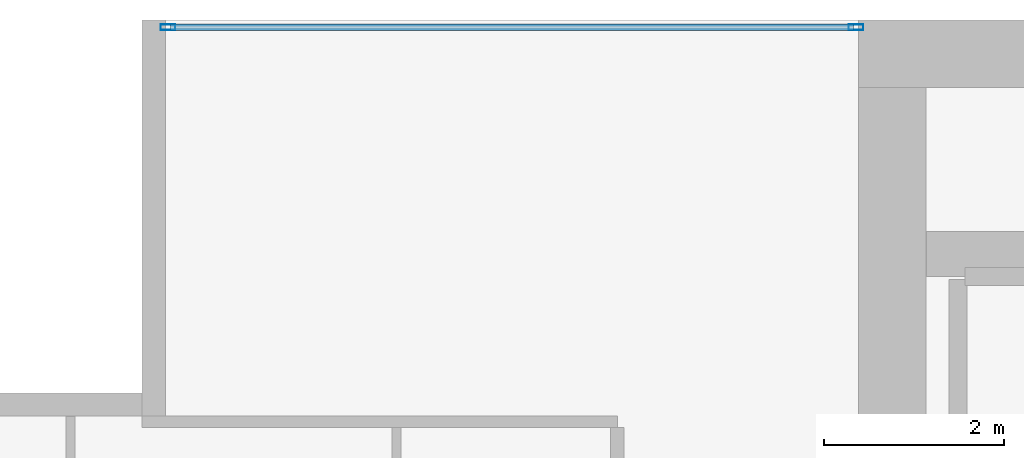
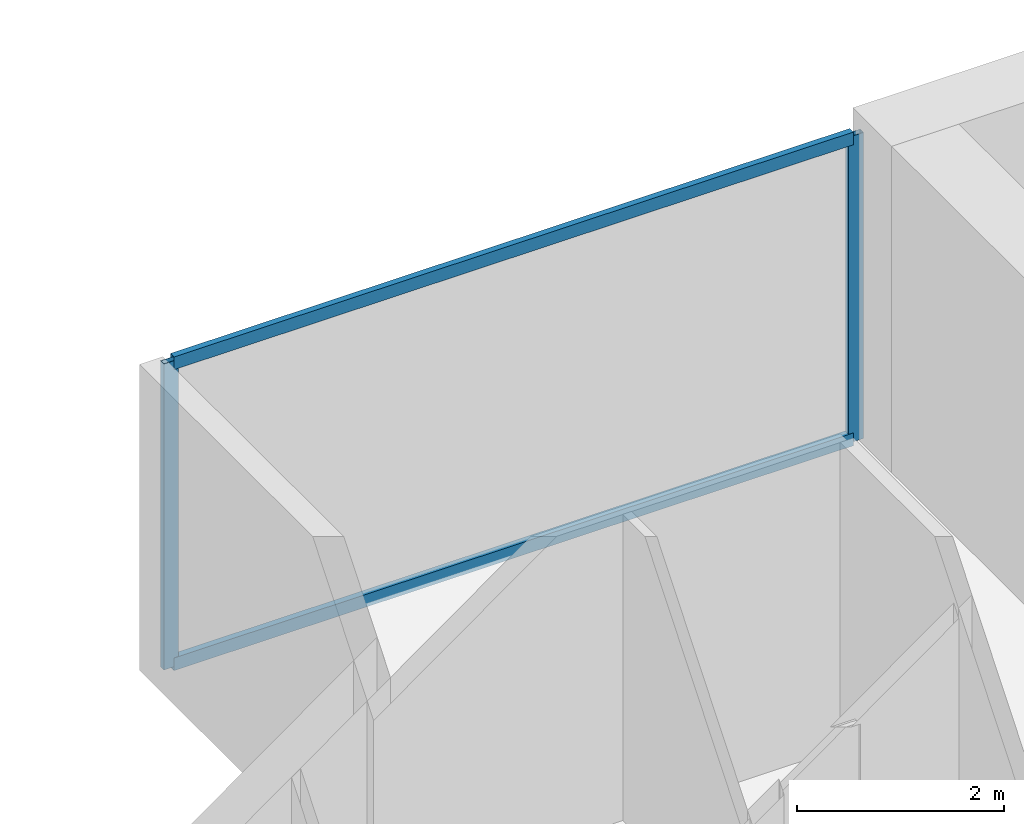
# One storey, part 22 of 33: 4 members, 1 element without a shape of its own.
"""IFC4 building model written with IfcOpenShell, lengths in metres."""

from ifc_helpers import new_model, si_unit, direction, frame, origin, origin_2d, place, context, subcontext, project, spatial, hollow_rectangle, extrude, material, layer, layer_set, material_profile, profile_set, type_object, element, aggregate, save


model = new_model("IFC4")

# Units and contexts
model_context = context("Model", 3, precision=1e-05, world=origin(), true_north=direction((0.0, 1.0)))
body_context = subcontext(model_context, "Body", "Model", "MODEL_VIEW")
ifc_project = project(units=[si_unit("LENGTHUNIT", "METRE"), si_unit("AREAUNIT", "SQUARE_METRE"), si_unit("VOLUMEUNIT", "CUBIC_METRE"), si_unit("PLANEANGLEUNIT", "RADIAN"), si_unit("MASSUNIT", "GRAM", prefix="KILO")], contexts=[model_context])

# Site, building, storey
site_placement = place(None, origin())
site = spatial("IfcSite", under=ifc_project, at=site_placement, CompositionType="ELEMENT")
building_placement = place(site_placement, origin())
building = spatial("IfcBuilding", under=site, at=building_placement, Name="Maruvema Waterfront Hotel and Observation Tower", CompositionType="ELEMENT")
storey_placement = place(building_placement, frame((0.0, 0.0, 204.39990234375)))
storey = spatial("IfcBuildingStorey", under=building, at=storey_placement, Name="L50", CompositionType="ELEMENT", Elevation=204.39990234375)

# Curtain wall, members
ifc_material_1 = material(Name="Anodised bronze aluminium and solar-control low-E IGU", Category="aluminium")
ifc_layer = layer(ifc_material_1, 0.159912109375, Name="Zone 2 Amber Inner Thermal Curtain Wall System CW-03")
ifc_layer_set = layer_set([ifc_layer], Name="Anodised bronze aluminium and solar-control low-E IGU")
curtain_wall_type = type_object("IfcCurtainWallType", Name="Zone 2 Amber Inner Thermal Curtain Wall System CW-03", PredefinedType="USERDEFINED", material=ifc_layer_set)
curtain_wall_placement = place(storey_placement, origin())
curtain_wall = element("IfcCurtainWall", 1, at=curtain_wall_placement, inside=storey, type_object=curtain_wall_type, Name="L50 Curtain Wall CW-L50-NW", ObjectType="UNITISED CURTAIN WALL", PredefinedType="USERDEFINED")
ifc_material_2 = material(Name="Anodised architectural bronze aluminium", Category="aluminium")
ifc_material_profile_1 = material_profile(ifc_material_2, hollow_rectangle(XDim=0.070068359375, YDim=0.14990234375, WallThickness=0.00390625, at=origin_2d()), Name="ALU-T70x150")
ifc_profile_set_1 = profile_set([ifc_material_profile_1], Name="Anodised architectural bronze aluminium")
member_type_1 = type_object("IfcMemberType", Name="Curtain Wall Horizontal Transom ALU-T70x150", PredefinedType="USERDEFINED", material=ifc_profile_set_1)
member_1_placement = place(storey_placement, frame((25.139892578125, 53.919921875, 0.030029296875), z_axis=(-1.0, 0.0, 0.0), x_axis=(0.0, -1.0, 0.0)))
member_1 = element("IfcMember", 2, at=member_1_placement, type_object=member_type_1, Name="CW-03 transom 1.1", ObjectType="TRANSOM", PredefinedType="USERDEFINED", context=body_context, shape_type="SweptSolid", body=[
    extrude(hollow_rectangle(XDim=0.070068359375, YDim=0.14990234375, WallThickness=0.00390625, at=origin_2d()), origin(), (0.0, 0.0, 1.0), 7.579833984375),
])
member_2_placement = place(storey_placement, frame((25.139892578125, 53.919921875, 3.580078125), z_axis=(-1.0, 0.0, 0.0), x_axis=(0.0, -1.0, 0.0)))
member_2 = element("IfcMember", 3, at=member_2_placement, type_object=member_type_1, Name="CW-03 transom 1.2", ObjectType="TRANSOM", PredefinedType="USERDEFINED", context=body_context, shape_type="SweptSolid", body=[
    extrude(hollow_rectangle(XDim=0.070068359375, YDim=0.14990234375, WallThickness=0.00390625, at=origin_2d()), origin(), (0.0, 0.0, 1.0), 7.579833984375),
])
ifc_material_3 = material(Name="Anodised architectural bronze aluminium", Category="aluminium")
ifc_material_profile_2 = material_profile(ifc_material_3, hollow_rectangle(XDim=0.06494140625, YDim=0.1650390625, WallThickness=0.00390625, at=origin_2d()), Name="ALU-M65x165")
ifc_profile_set_2 = profile_set([ifc_material_profile_2], Name="Anodised architectural bronze aluminium")
member_type_2 = type_object("IfcMemberType", Name="Curtain Wall Primary Mullion ALU-M65x165", PredefinedType="MULLION", material=ifc_profile_set_2)
member_3_placement = place(storey_placement, frame((25.169921875, 53.919921875, 0.0), z_axis=(0.0, 0.0, 1.0), x_axis=(0.0, -1.0, 0.0)))
member_3 = element("IfcMember", 4, at=member_3_placement, type_object=member_type_2, Name="CW-03 mullion 1", PredefinedType="MULLION", context=body_context, shape_type="SweptSolid", body=[
    extrude(hollow_rectangle(XDim=0.06494140625, YDim=0.1650390625, WallThickness=0.00390625, at=origin_2d()), origin(), (0.0, 0.0, 1.0), 3.610107421875),
])
member_4_placement = place(storey_placement, frame((17.530029296875, 53.919921875, 0.0), z_axis=(0.0, 0.0, 1.0), x_axis=(0.0, -1.0, 0.0)))
member_4 = element("IfcMember", 5, at=member_4_placement, type_object=member_type_2, Name="CW-03 mullion 2", PredefinedType="MULLION", context=body_context, shape_type="SweptSolid", body=[
    extrude(hollow_rectangle(XDim=0.06494140625, YDim=0.1650390625, WallThickness=0.00390625, at=origin_2d()), origin(), (0.0, 0.0, 1.0), 3.610107421875),
])
aggregate(curtain_wall, [member_3, member_4, member_1, member_2])

save(model, "model.ifc")
